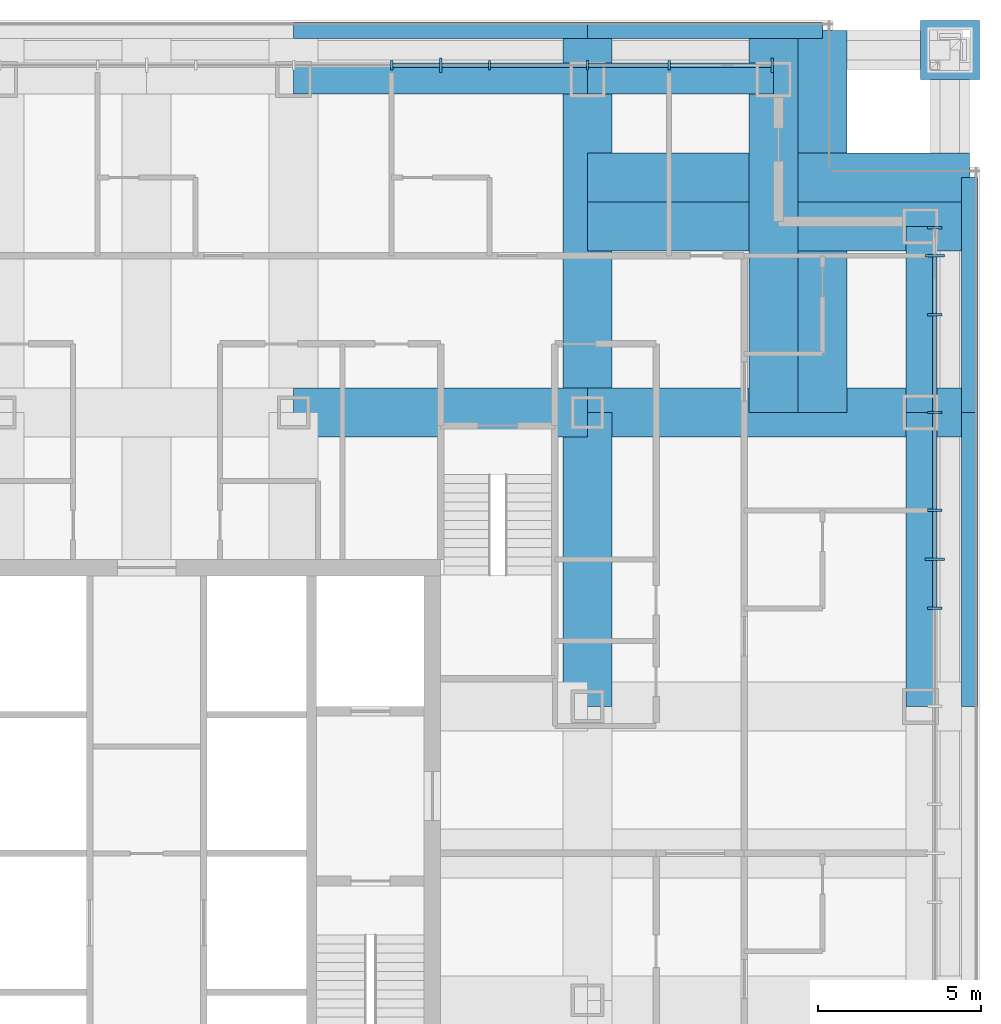
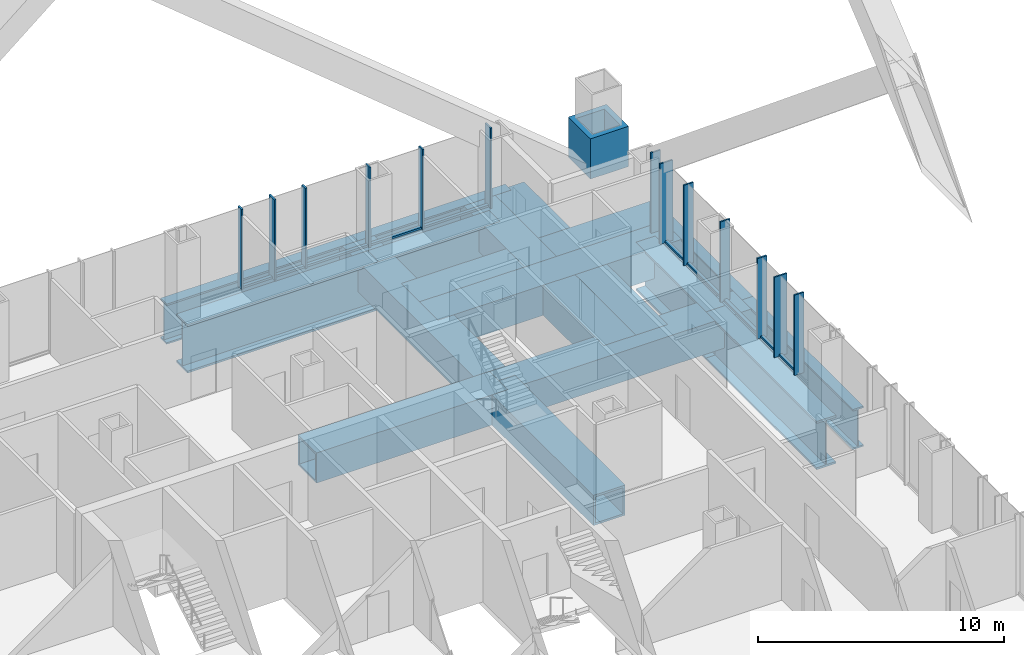
# One storey, part 11 of 20: 24 members, 16 beams, 2 elements without a shape of their own.
"""IFC4 building model written with IfcOpenShell, lengths in metres."""

from ifc_helpers import new_model, si_unit, direction, frame, origin, origin_2d, place, context, subcontext, project, spatial, rectangle, hollow_rectangle, i_section, extrude, material, layer, layer_set, material_profile, profile_set, type_object, element, aggregate, save


model = new_model("IFC4")

# Units and contexts
model_context = context("Model", 3, precision=1e-05, world=origin(), true_north=direction((0.0, 1.0)))
body_context = subcontext(model_context, "Body", "Model", "MODEL_VIEW")
ifc_project = project(units=[si_unit("LENGTHUNIT", "METRE"), si_unit("AREAUNIT", "SQUARE_METRE"), si_unit("VOLUMEUNIT", "CUBIC_METRE"), si_unit("PLANEANGLEUNIT", "RADIAN"), si_unit("MASSUNIT", "GRAM", prefix="KILO")], contexts=[model_context])

# Site, building, storey
site_placement = place(None, origin())
site = spatial("IfcSite", under=ifc_project, at=site_placement, CompositionType="ELEMENT")
building_placement = place(site_placement, origin())
building = spatial("IfcBuilding", under=site, at=building_placement, Name="Malebo Sky Hospital", CompositionType="ELEMENT")
storey_placement = place(building_placement, frame((0.0, 0.0, 100.0)))
storey = spatial("IfcBuildingStorey", under=building, at=storey_placement, Name="L23", CompositionType="ELEMENT", Elevation=100.0)

# Curtain wall, members
ifc_material_1 = material(Name="Anodised aluminium, natural silver", Category="aluminium")
ifc_layer_1 = layer(ifc_material_1, 0.25)
ifc_layer_set_1 = layer_set([ifc_layer_1], Name="WARD CURTAIN WALL NORTH AND SOUTH")
curtain_wall_type_1 = type_object("IfcCurtainWallType", Name="WARD CURTAIN WALL NORTH AND SOUTH", PredefinedType="NOTDEFINED", material=ifc_layer_set_1)
curtain_wall_1_placement = place(storey_placement, origin())
curtain_wall_1 = element("IfcCurtainWall", 1, at=curtain_wall_1_placement, inside=storey, type_object=curtain_wall_type_1, Name="NS curtain wall N", PredefinedType="NOTDEFINED")
ifc_material_profile_1 = material_profile(ifc_material_1, rectangle(XDim=0.14990234375, YDim=0.10009765625, at=origin_2d()), Name="ALUMINIUM TRANSOM 150x100")
ifc_profile_set_1 = profile_set([ifc_material_profile_1], Name="Anodised aluminium, natural silver")
member_type_1 = type_object("IfcMemberType", Name="ALUMINIUM TRANSOM 150x100", PredefinedType="USERDEFINED", material=ifc_profile_set_1)
member_1_placement = place(storey_placement, frame((67.53759765625, 86.135009765625, 0.050048828125), z_axis=(1.0, 0.0, 0.0), x_axis=(0.0, 1.0, 0.0)))
member_1 = element("IfcMember", 2, at=member_1_placement, type_object=member_type_1, Name="Transom 13", ObjectType="TRANSOM", PredefinedType="USERDEFINED", context=body_context, shape_type="SweptSolid", body=[
    extrude(rectangle(XDim=0.14990234375, YDim=0.10009765625, at=origin_2d()), origin(), (0.0, 0.0, 1.0), 1.4248046875),
])
member_2_placement = place(storey_placement, frame((69.03759765625, 86.135009765625, 0.050048828125), z_axis=(1.0, 0.0, 0.0), x_axis=(0.0, 1.0, 0.0)))
member_2 = element("IfcMember", 3, at=member_2_placement, type_object=member_type_1, Name="Transom 14", ObjectType="TRANSOM", PredefinedType="USERDEFINED", context=body_context, shape_type="SweptSolid", body=[
    extrude(rectangle(XDim=0.14990234375, YDim=0.10009765625, at=origin_2d()), origin(), (0.0, 0.0, 1.0), 1.4248046875),
])
member_3_placement = place(storey_placement, frame((70.53759765625, 86.135009765625, 0.050048828125), z_axis=(1.0, 0.0, 0.0), x_axis=(0.0, 1.0, 0.0)))
member_3 = element("IfcMember", 4, at=member_3_placement, type_object=member_type_1, Name="Transom 15", ObjectType="TRANSOM", PredefinedType="USERDEFINED", context=body_context, shape_type="SweptSolid", body=[
    extrude(rectangle(XDim=0.14990234375, YDim=0.10009765625, at=origin_2d()), origin(), (0.0, 0.0, 1.0), 2.9248046875),
])
member_4_placement = place(storey_placement, frame((73.53759765625, 86.135009765625, 0.050048828125), z_axis=(1.0, 0.0, 0.0), x_axis=(0.0, 1.0, 0.0)))
member_4 = element("IfcMember", 5, at=member_4_placement, type_object=member_type_1, Name="Transom 16", ObjectType="TRANSOM", PredefinedType="USERDEFINED", context=body_context, shape_type="SweptSolid", body=[
    extrude(rectangle(XDim=0.14990234375, YDim=0.10009765625, at=origin_2d()), origin(), (0.0, 0.0, 1.0), 2.4248046875),
])
member_5_placement = place(storey_placement, frame((76.03759765625, 86.135009765625, 0.050048828125), z_axis=(1.0, 0.0, 0.0), x_axis=(0.0, 1.0, 0.0)))
member_5 = element("IfcMember", 6, at=member_5_placement, type_object=member_type_1, Name="Transom 17", ObjectType="TRANSOM", PredefinedType="USERDEFINED", context=body_context, shape_type="SweptSolid", body=[
    extrude(rectangle(XDim=0.14990234375, YDim=0.10009765625, at=origin_2d()), origin(), (0.0, 0.0, 1.0), 3.08740234375),
])

ifc_layer_2 = layer(ifc_material_1, 0.25)
ifc_layer_set_2 = layer_set([ifc_layer_2], Name="WARD CURTAIN WALL EAST AND WEST")
curtain_wall_type_2 = type_object("IfcCurtainWallType", Name="WARD CURTAIN WALL EAST AND WEST", PredefinedType="NOTDEFINED", material=ifc_layer_set_2)
curtain_wall_2_placement = place(storey_placement, origin())
curtain_wall_2 = element("IfcCurtainWall", 7, at=curtain_wall_2_placement, inside=storey, type_object=curtain_wall_type_2, Name="EW curtain wall E", PredefinedType="NOTDEFINED")
member_6_placement = place(storey_placement, frame((84.135009765625, 80.262451171875, 0.050048828125), z_axis=(0.0, -1.0, 0.0), x_axis=(1.0, 0.0, 0.0)))
member_6 = element("IfcMember", 8, at=member_6_placement, type_object=member_type_1, Name="Transom 2", ObjectType="TRANSOM", PredefinedType="USERDEFINED", context=body_context, shape_type="SweptSolid", body=[
    extrude(rectangle(XDim=0.14990234375, YDim=0.10009765625, at=origin_2d()), origin(), (0.0, 0.0, 1.0), 1.724853515625),
])
member_7_placement = place(storey_placement, frame((84.135009765625, 78.46240234375, 0.050048828125), z_axis=(0.0, -1.0, 0.0), x_axis=(1.0, 0.0, 0.0)))
member_7 = element("IfcMember", 9, at=member_7_placement, type_object=member_type_1, Name="Transom 3", ObjectType="TRANSOM", PredefinedType="USERDEFINED", context=body_context, shape_type="SweptSolid", body=[
    extrude(rectangle(XDim=0.14990234375, YDim=0.10009765625, at=origin_2d()), origin(), (0.0, 0.0, 1.0), 2.9248046875),
])
member_8_placement = place(storey_placement, frame((84.135009765625, 75.46240234375, 0.050048828125), z_axis=(0.0, -1.0, 0.0), x_axis=(1.0, 0.0, 0.0)))
member_8 = element("IfcMember", 10, at=member_8_placement, type_object=member_type_1, Name="Transom 4", ObjectType="TRANSOM", PredefinedType="USERDEFINED", context=body_context, shape_type="SweptSolid", body=[
    extrude(rectangle(XDim=0.14990234375, YDim=0.10009765625, at=origin_2d()), origin(), (0.0, 0.0, 1.0), 2.9248046875),
])
member_9_placement = place(storey_placement, frame((84.135009765625, 72.46240234375, 0.050048828125), z_axis=(0.0, -1.0, 0.0), x_axis=(1.0, 0.0, 0.0)))
member_9 = element("IfcMember", 11, at=member_9_placement, type_object=member_type_1, Name="Transom 5", ObjectType="TRANSOM", PredefinedType="USERDEFINED", context=body_context, shape_type="SweptSolid", body=[
    extrude(rectangle(XDim=0.14990234375, YDim=0.10009765625, at=origin_2d()), origin(), (0.0, 0.0, 1.0), 1.4248046875),
])
member_10_placement = place(storey_placement, frame((84.135009765625, 70.96240234375, 0.050048828125), z_axis=(0.0, -1.0, 0.0), x_axis=(1.0, 0.0, 0.0)))
member_10 = element("IfcMember", 12, at=member_10_placement, type_object=member_type_1, Name="Transom 6", ObjectType="TRANSOM", PredefinedType="USERDEFINED", context=body_context, shape_type="SweptSolid", body=[
    extrude(rectangle(XDim=0.14990234375, YDim=0.10009765625, at=origin_2d()), origin(), (0.0, 0.0, 1.0), 1.4248046875),
])

# Member
ifc_material_profile_2 = material_profile(ifc_material_1, rectangle(XDim=0.074951171875, YDim=0.300048828125, at=origin_2d()), Name="CW1 ALUMINIUM FIN MULLION 75x300")
ifc_profile_set_2 = profile_set([ifc_material_profile_2], Name="Anodised aluminium, natural silver")
member_type_2 = type_object("IfcMemberType", Name="CW1 ALUMINIUM FIN MULLION 75x300", PredefinedType="MULLION", material=ifc_profile_set_2)
member_11_placement = place(storey_placement, frame((67.5, 86.135009765625, 0.0), z_axis=(0.0, 0.0, 1.0), x_axis=(1.0, 0.0, 0.0)))
member_11 = element("IfcMember", 13, at=member_11_placement, type_object=member_type_2, Name="Fin mullion 13", PredefinedType="MULLION", context=body_context, shape_type="SweptSolid", body=[
    extrude(rectangle(XDim=0.074951171875, YDim=0.300048828125, at=origin_2d()), origin(), (0.0, 0.0, 1.0), 4.0),
])

member_12_placement = place(storey_placement, frame((70.5, 86.135009765625, 0.0), z_axis=(0.0, 0.0, 1.0), x_axis=(1.0, 0.0, 0.0)))
member_12 = element("IfcMember", 14, at=member_12_placement, type_object=member_type_2, Name="Fin mullion 15", PredefinedType="MULLION", context=body_context, shape_type="SweptSolid", body=[
    extrude(rectangle(XDim=0.074951171875, YDim=0.300048828125, at=origin_2d()), origin(), (0.0, 0.0, 1.0), 4.0),
])

member_13_placement = place(storey_placement, frame((73.5, 86.135009765625, 0.0), z_axis=(0.0, 0.0, 1.0), x_axis=(1.0, 0.0, 0.0)))
member_13 = element("IfcMember", 15, at=member_13_placement, type_object=member_type_2, Name="Fin mullion 16", PredefinedType="MULLION", context=body_context, shape_type="SweptSolid", body=[
    extrude(rectangle(XDim=0.074951171875, YDim=0.300048828125, at=origin_2d()), origin(), (0.0, 0.0, 1.0), 4.0),
])

member_14_placement = place(storey_placement, frame((76.0, 86.135009765625, 0.0), z_axis=(0.0, 0.0, 1.0), x_axis=(1.0, 0.0, 0.0)))
member_14 = element("IfcMember", 16, at=member_14_placement, type_object=member_type_2, Name="Fin mullion 17", PredefinedType="MULLION", context=body_context, shape_type="SweptSolid", body=[
    extrude(rectangle(XDim=0.074951171875, YDim=0.300048828125, at=origin_2d()), origin(), (0.0, 0.0, 1.0), 4.0),
])

ifc_material_profile_3 = material_profile(ifc_material_1, rectangle(XDim=0.074951171875, YDim=0.449951171875, at=origin_2d()), Name="CW1 ALUMINIUM FIN MULLION 75x450")
ifc_profile_set_3 = profile_set([ifc_material_profile_3], Name="Anodised aluminium, natural silver")
member_type_3 = type_object("IfcMemberType", Name="CW1 ALUMINIUM FIN MULLION 75x450", PredefinedType="MULLION", material=ifc_profile_set_3)
member_15_placement = place(storey_placement, frame((69.0, 86.135009765625, 0.0), z_axis=(0.0, 0.0, 1.0), x_axis=(1.0, 0.0, 0.0)))
member_15 = element("IfcMember", 17, at=member_15_placement, type_object=member_type_3, Name="Fin mullion 14", PredefinedType="MULLION", context=body_context, shape_type="SweptSolid", body=[
    extrude(rectangle(XDim=0.074951171875, YDim=0.449951171875, at=origin_2d()), origin(), (0.0, 0.0, 1.0), 4.0),
])

member_16_placement = place(storey_placement, frame((79.16259765625, 86.135009765625, 0.0), z_axis=(0.0, 0.0, 1.0), x_axis=(1.0, 0.0, 0.0)))
member_16 = element("IfcMember", 18, at=member_16_placement, type_object=member_type_3, Name="Fin mullion 18", PredefinedType="MULLION", context=body_context, shape_type="SweptSolid", body=[
    extrude(rectangle(XDim=0.074951171875, YDim=0.449951171875, at=origin_2d()), origin(), (0.0, 0.0, 1.0), 4.0),
])

aggregate(curtain_wall_1, [member_11, member_15, member_12, member_13, member_14, member_16, member_1, member_2, member_3, member_4, member_5])

ifc_material_profile_4 = material_profile(ifc_material_1, rectangle(XDim=0.074951171875, YDim=0.449951171875, at=origin_2d()), Name="CW2 ALUMINIUM FIN MULLION 75x450")
ifc_profile_set_4 = profile_set([ifc_material_profile_4], Name="Anodised aluminium, natural silver")
member_type_4 = type_object("IfcMemberType", Name="CW2 ALUMINIUM FIN MULLION 75x450", PredefinedType="MULLION", material=ifc_profile_set_4)
member_17_placement = place(storey_placement, frame((84.135009765625, 81.16259765625, 0.0), z_axis=(0.0, 0.0, 1.0), x_axis=(0.0, -1.0, 0.0)))
member_17 = element("IfcMember", 19, at=member_17_placement, type_object=member_type_4, Name="Fin mullion 1", PredefinedType="MULLION", context=body_context, shape_type="SweptSolid", body=[
    extrude(rectangle(XDim=0.074951171875, YDim=0.449951171875, at=origin_2d()), origin(), (0.0, 0.0, 1.0), 4.0),
])

member_18_placement = place(storey_placement, frame((84.135009765625, 78.5, 0.0), z_axis=(0.0, 0.0, 1.0), x_axis=(0.0, -1.0, 0.0)))
member_18 = element("IfcMember", 20, at=member_18_placement, type_object=member_type_4, Name="Fin mullion 3", PredefinedType="MULLION", context=body_context, shape_type="SweptSolid", body=[
    extrude(rectangle(XDim=0.074951171875, YDim=0.449951171875, at=origin_2d()), origin(), (0.0, 0.0, 1.0), 4.0),
])

member_19_placement = place(storey_placement, frame((84.135009765625, 75.5, 0.0), z_axis=(0.0, 0.0, 1.0), x_axis=(0.0, -1.0, 0.0)))
member_19 = element("IfcMember", 21, at=member_19_placement, type_object=member_type_4, Name="Fin mullion 4", PredefinedType="MULLION", context=body_context, shape_type="SweptSolid", body=[
    extrude(rectangle(XDim=0.074951171875, YDim=0.449951171875, at=origin_2d()), origin(), (0.0, 0.0, 1.0), 4.0),
])

member_20_placement = place(storey_placement, frame((84.135009765625, 72.5, 0.0), z_axis=(0.0, 0.0, 1.0), x_axis=(0.0, -1.0, 0.0)))
member_20 = element("IfcMember", 22, at=member_20_placement, type_object=member_type_4, Name="Fin mullion 5", PredefinedType="MULLION", context=body_context, shape_type="SweptSolid", body=[
    extrude(rectangle(XDim=0.074951171875, YDim=0.449951171875, at=origin_2d()), origin(), (0.0, 0.0, 1.0), 4.0),
])

member_21_placement = place(storey_placement, frame((84.135009765625, 69.5, 0.0), z_axis=(0.0, 0.0, 1.0), x_axis=(0.0, -1.0, 0.0)))
member_21 = element("IfcMember", 23, at=member_21_placement, type_object=member_type_4, Name="Fin mullion 7", PredefinedType="MULLION", context=body_context, shape_type="SweptSolid", body=[
    extrude(rectangle(XDim=0.074951171875, YDim=0.449951171875, at=origin_2d()), origin(), (0.0, 0.0, 1.0), 4.0),
])

ifc_material_profile_5 = material_profile(ifc_material_1, rectangle(XDim=0.074951171875, YDim=0.60009765625, at=origin_2d()), Name="CW2 ALUMINIUM FIN MULLION 75x600")
ifc_profile_set_5 = profile_set([ifc_material_profile_5], Name="Anodised aluminium, natural silver")
member_type_5 = type_object("IfcMemberType", Name="CW2 ALUMINIUM FIN MULLION 75x600", PredefinedType="MULLION", material=ifc_profile_set_5)
member_22_placement = place(storey_placement, frame((84.135009765625, 80.300048828125, 0.0), z_axis=(0.0, 0.0, 1.0), x_axis=(0.0, -1.0, 0.0)))
member_22 = element("IfcMember", 24, at=member_22_placement, type_object=member_type_5, Name="Fin mullion 2", PredefinedType="MULLION", context=body_context, shape_type="SweptSolid", body=[
    extrude(rectangle(XDim=0.074951171875, YDim=0.60009765625, at=origin_2d()), origin(), (0.0, 0.0, 1.0), 4.0),
])

member_23_placement = place(storey_placement, frame((84.135009765625, 71.0, 0.0), z_axis=(0.0, 0.0, 1.0), x_axis=(0.0, -1.0, 0.0)))
member_23 = element("IfcMember", 25, at=member_23_placement, type_object=member_type_5, Name="Fin mullion 6", PredefinedType="MULLION", context=body_context, shape_type="SweptSolid", body=[
    extrude(rectangle(XDim=0.074951171875, YDim=0.60009765625, at=origin_2d()), origin(), (0.0, 0.0, 1.0), 4.0),
])

aggregate(curtain_wall_2, [member_17, member_22, member_18, member_19, member_20, member_23, member_21, member_6, member_7, member_8, member_9, member_10])

ifc_material_2 = material(Name="Steel S460", Category="steel")
ifc_material_profile_6 = material_profile(ifc_material_2, hollow_rectangle(XDim=1.800048828125, YDim=1.800048828125, WallThickness=0.25, at=origin_2d()), Name="BOX 1800x1800x250")
ifc_profile_set_6 = profile_set([ifc_material_profile_6], Name="Steel S460")
member_type_6 = type_object("IfcMemberType", Name="MEGA COLUMN NODE BOX 1800x1800x250", PredefinedType="MEMBER", material=ifc_profile_set_6)
member_24_placement = place(storey_placement, frame((84.60009765625, 86.60009765625, 0.0), z_axis=(0.0, 0.0, 1.0), x_axis=(1.0, 0.0, 0.0)))
element("IfcMember", 26, at=member_24_placement, inside=storey, type_object=member_type_6, Name="Mega column node NE L23", PredefinedType="MEMBER", context=body_context, shape_type="SweptSolid", body=[
    extrude(hollow_rectangle(XDim=1.800048828125, YDim=1.800048828125, WallThickness=0.25, at=origin_2d()), origin(), (0.0, 0.0, 1.0), 2.0),
])

# Beams
ifc_material_profile_7 = material_profile(ifc_material_2, hollow_rectangle(XDim=1.5, YDim=1.5, WallThickness=0.10009765625, at=origin_2d()), Name="BOX 1500x1500x100")
ifc_profile_set_7 = profile_set([ifc_material_profile_7], Name="Steel S460")
beam_type_1 = type_object("IfcBeamType", Name="TRANSFER GIRDER BOX 1500x1500x100", PredefinedType="BEAM", material=ifc_profile_set_7)
beam_1_placement = place(storey_placement, frame((73.5, 66.5, -1.0), z_axis=(0.0, 1.0, 0.0), x_axis=(-1.0, 0.0, 0.0)))
element("IfcBeam", 27, at=beam_1_placement, inside=storey, type_object=beam_type_1, Name="Beam 028 L23", PredefinedType="BEAM", context=body_context, shape_type="SweptSolid", body=[
    extrude(hollow_rectangle(XDim=1.5, YDim=1.5, WallThickness=0.10009765625, at=origin_2d()), origin(), (0.0, 0.0, 1.0), 9.0),
])
beam_2_placement = place(storey_placement, frame((73.5, 75.5, -1.0), z_axis=(0.0, 1.0, 0.0), x_axis=(-1.0, 0.0, 0.0)))
element("IfcBeam", 28, at=beam_2_placement, inside=storey, type_object=beam_type_1, Name="Beam 029 L23", PredefinedType="BEAM", context=body_context, shape_type="SweptSolid", body=[
    extrude(hollow_rectangle(XDim=1.5, YDim=1.5, WallThickness=0.10009765625, at=origin_2d()), origin(), (0.0, 0.0, 1.0), 11.699951171875),
])
beam_3_placement = place(storey_placement, frame((64.5, 75.5, -1.0), z_axis=(1.0, 0.0, 0.0), x_axis=(0.0, 1.0, 0.0)))
element("IfcBeam", 29, at=beam_3_placement, inside=storey, type_object=beam_type_1, Name="Beam 068 L23", PredefinedType="BEAM", context=body_context, shape_type="SweptSolid", body=[
    extrude(hollow_rectangle(XDim=1.5, YDim=1.5, WallThickness=0.10009765625, at=origin_2d()), origin(), (0.0, 0.0, 1.0), 9.0),
])
for number, where, z_axis, x_axis, name in (
    (30, (73.5, 75.5, -1.0), (1.0, 0.0, 0.0), (0.0, 1.0, 0.0), "Beam 069 L23"),
    (31, (79.199951171875, 75.5, -1.0), (0.0, 1.0, 0.0), (-1.0, 0.0, 0.0), "Beam 031 L23"),
    (32, (80.699951171875, 75.5, -1.0), (0.0, 1.0, 0.0), (-1.0, 0.0, 0.0), "Beam 033 L23"),
    (33, (73.5, 81.199951171875, -1.0), (1.0, 0.0, 0.0), (0.0, 1.0, 0.0), "Beam 071 L23"),
    (34, (73.5, 82.699951171875, -1.0), (1.0, 0.0, 0.0), (0.0, 1.0, 0.0), "Beam 073 L23"),
):
    element("IfcBeam", number, at=place(storey_placement, frame(where, z_axis=z_axis, x_axis=x_axis)), inside=storey, type_object=beam_type_1, Name=name, PredefinedType="BEAM", context=body_context, shape_type="SweptSolid", body=[
        extrude(hollow_rectangle(XDim=1.5, YDim=1.5, WallThickness=0.10009765625, at=origin_2d()), origin(), (0.0, 0.0, 1.0), 11.699951171875),
    ])
ifc_material_3 = material(Name="Steel S355", Category="steel")
ifc_material_profile_8 = material_profile(ifc_material_3, i_section(OverallWidth=0.5, OverallDepth=2.0, WebThickness=0.0400390625, FlangeThickness=0.080078125, at=origin_2d()), Name="PG 2000x500x40x80")
ifc_profile_set_8 = profile_set([ifc_material_profile_8], Name="Steel S355")
beam_type_2 = type_object("IfcBeamType", Name="TRANSFER GIRDER PG 2000x500x40x80", PredefinedType="BEAM", material=ifc_profile_set_8)
beam_4_placement = place(storey_placement, frame((85.199951171875, 66.5, -1.25), z_axis=(0.0, 1.0, 0.0), x_axis=(-1.0, 0.0, 0.0)))
element("IfcBeam", 35, at=beam_4_placement, inside=storey, type_object=beam_type_2, Name="Beam 038 L23", PredefinedType="BEAM", context=body_context, shape_type="SweptSolid", body=[
    extrude(i_section(OverallWidth=0.5, OverallDepth=2.0, WebThickness=0.0400390625, FlangeThickness=0.080078125, at=origin_2d()), origin(), (0.0, 0.0, 1.0), 9.0),
])
beam_5_placement = place(storey_placement, frame((85.199951171875, 75.5, -1.25), z_axis=(0.0, 1.0, 0.0), x_axis=(-1.0, 0.0, 0.0)))
element("IfcBeam", 36, at=beam_5_placement, inside=storey, type_object=beam_type_2, Name="Beam 039 L23", PredefinedType="BEAM", context=body_context, shape_type="SweptSolid", body=[
    extrude(i_section(OverallWidth=0.5, OverallDepth=2.0, WebThickness=0.0400390625, FlangeThickness=0.080078125, at=origin_2d()), origin(), (0.0, 0.0, 1.0), 7.199951171875),
])
beam_6_placement = place(storey_placement, frame((64.5, 87.199951171875, -1.25), z_axis=(1.0, 0.0, 0.0), x_axis=(0.0, 1.0, 0.0)))
element("IfcBeam", 37, at=beam_6_placement, inside=storey, type_object=beam_type_2, Name="Beam 078 L23", PredefinedType="BEAM", context=body_context, shape_type="SweptSolid", body=[
    extrude(i_section(OverallWidth=0.5, OverallDepth=2.0, WebThickness=0.0400390625, FlangeThickness=0.080078125, at=origin_2d()), origin(), (0.0, 0.0, 1.0), 9.0),
])
beam_7_placement = place(storey_placement, frame((73.5, 87.199951171875, -1.25), z_axis=(1.0, 0.0, 0.0), x_axis=(0.0, 1.0, 0.0)))
element("IfcBeam", 38, at=beam_7_placement, inside=storey, type_object=beam_type_2, Name="Beam 079 L23", PredefinedType="BEAM", context=body_context, shape_type="SweptSolid", body=[
    extrude(i_section(OverallWidth=0.5, OverallDepth=2.0, WebThickness=0.0400390625, FlangeThickness=0.080078125, at=origin_2d()), origin(), (0.0, 0.0, 1.0), 7.199951171875),
])
ifc_material_profile_9 = material_profile(ifc_material_3, i_section(OverallWidth=0.89990234375, OverallDepth=2.39990234375, WebThickness=0.050048828125, FlangeThickness=0.10009765625, at=origin_2d()), Name="PG 2400x900x50x100")
ifc_profile_set_9 = profile_set([ifc_material_profile_9], Name="Steel S355")
beam_type_3 = type_object("IfcBeamType", Name="TRANSFER GIRDER PG 2400x900x50x100", PredefinedType="BEAM", material=ifc_profile_set_9)
beam_8_placement = place(storey_placement, frame((83.699951171875, 66.5, -1.449951171875), z_axis=(0.0, 1.0, 0.0), x_axis=(-1.0, 0.0, 0.0)))
element("IfcBeam", 39, at=beam_8_placement, inside=storey, type_object=beam_type_3, Name="Beam 034e L23", PredefinedType="BEAM", context=body_context, shape_type="SweptSolid", body=[
    extrude(i_section(OverallWidth=0.89990234375, OverallDepth=2.39990234375, WebThickness=0.050048828125, FlangeThickness=0.10009765625, at=origin_2d()), origin(), (0.0, 0.0, 1.0), 9.0),
])
beam_9_placement = place(storey_placement, frame((83.699951171875, 75.5, -1.449951171875), z_axis=(0.0, 1.0, 0.0), x_axis=(-1.0, 0.0, 0.0)))
element("IfcBeam", 40, at=beam_9_placement, inside=storey, type_object=beam_type_3, Name="Beam 034f L23", PredefinedType="BEAM", context=body_context, shape_type="SweptSolid", body=[
    extrude(i_section(OverallWidth=0.89990234375, OverallDepth=2.39990234375, WebThickness=0.050048828125, FlangeThickness=0.10009765625, at=origin_2d()), origin(), (0.0, 0.0, 1.0), 5.699951171875),
])
beam_10_placement = place(storey_placement, frame((64.5, 85.699951171875, -1.449951171875), z_axis=(1.0, 0.0, 0.0), x_axis=(0.0, 1.0, 0.0)))
element("IfcBeam", 41, at=beam_10_placement, inside=storey, type_object=beam_type_3, Name="Beam 074e L23", PredefinedType="BEAM", context=body_context, shape_type="SweptSolid", body=[
    extrude(i_section(OverallWidth=0.89990234375, OverallDepth=2.39990234375, WebThickness=0.050048828125, FlangeThickness=0.10009765625, at=origin_2d()), origin(), (0.0, 0.0, 1.0), 9.0),
])
beam_11_placement = place(storey_placement, frame((73.5, 85.699951171875, -1.449951171875), z_axis=(1.0, 0.0, 0.0), x_axis=(0.0, 1.0, 0.0)))
element("IfcBeam", 42, at=beam_11_placement, inside=storey, type_object=beam_type_3, Name="Beam 074f L23", PredefinedType="BEAM", context=body_context, shape_type="SweptSolid", body=[
    extrude(i_section(OverallWidth=0.89990234375, OverallDepth=2.39990234375, WebThickness=0.050048828125, FlangeThickness=0.10009765625, at=origin_2d()), origin(), (0.0, 0.0, 1.0), 5.699951171875),
])

save(model, "model.ifc")
